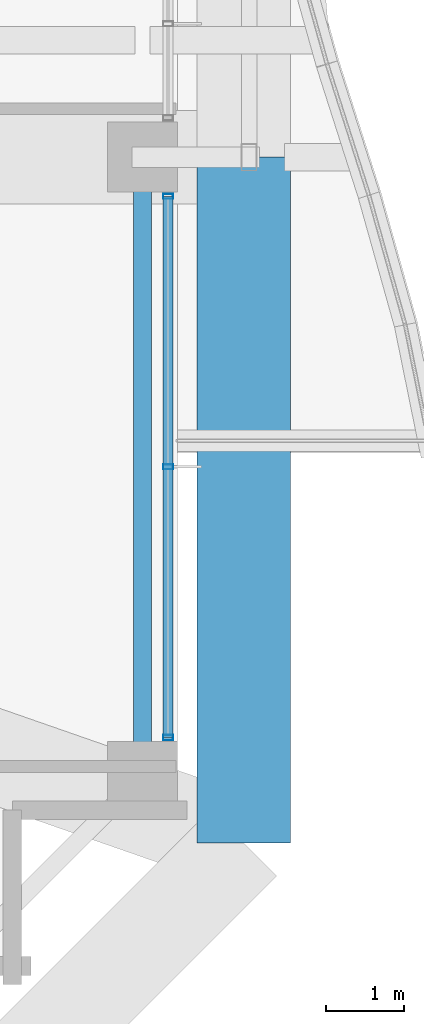
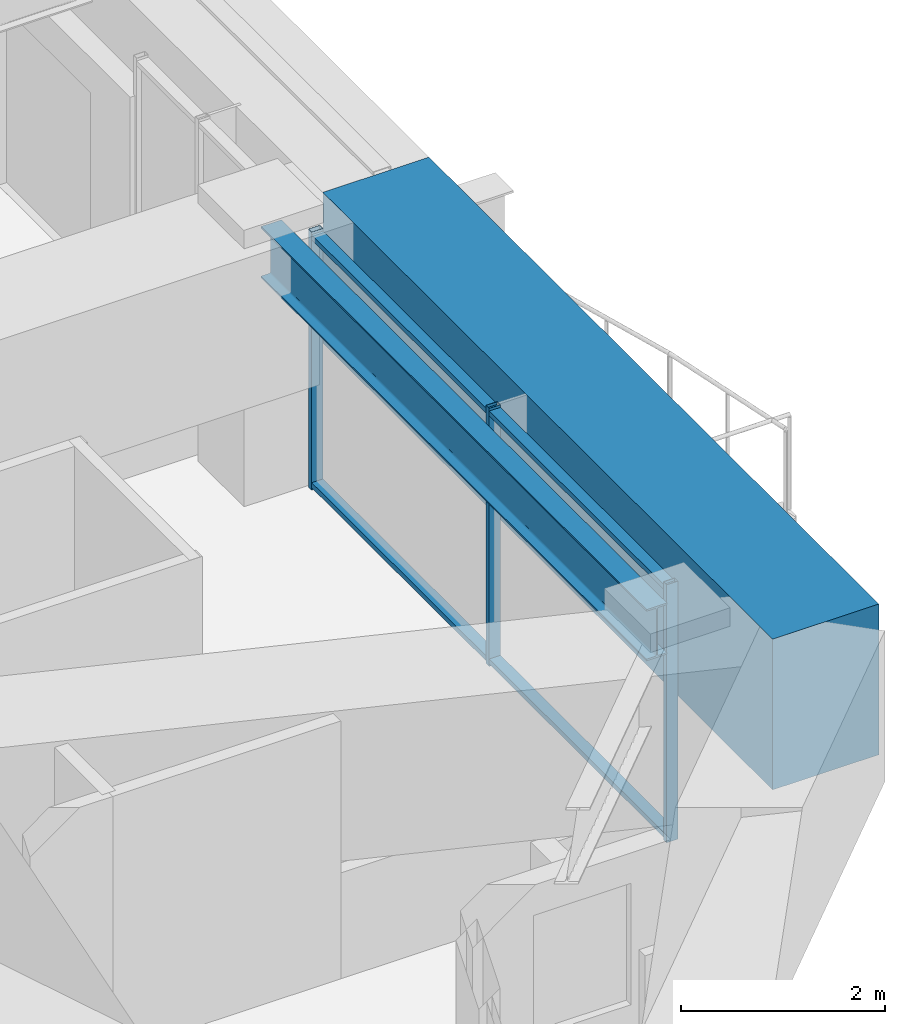
# One storey, part 17 of 40: 5 members, 2 beams, 1 element without a shape of its own.
"""IFC4 building model written with IfcOpenShell, lengths in metres."""

from ifc_helpers import new_model, si_unit, direction, frame, origin, origin_2d, place, context, subcontext, project, spatial, rectangle, hollow_rectangle, i_section, extrude, material, material_profile, profile_set, type_object, element, aggregate, save


model = new_model("IFC4")

# Units and contexts
model_context = context("Model", 3, precision=1e-05, world=origin(), true_north=direction((0.0, 1.0)))
body_context = subcontext(model_context, "Body", "Model", "MODEL_VIEW")
ifc_project = project(units=[si_unit("LENGTHUNIT", "METRE"), si_unit("AREAUNIT", "SQUARE_METRE"), si_unit("VOLUMEUNIT", "CUBIC_METRE"), si_unit("PLANEANGLEUNIT", "RADIAN"), si_unit("MASSUNIT", "GRAM", prefix="KILO")], contexts=[model_context])

# Site, building, storey
site_placement = place(None, origin())
site = spatial("IfcSite", under=ifc_project, at=site_placement, CompositionType="ELEMENT")
building_placement = place(site_placement, origin())
building = spatial("IfcBuilding", under=site, at=building_placement, Name="Kolvaren Belvedere", CompositionType="ELEMENT")
storey_placement = place(building_placement, frame((0.0, 0.0, 170.10009765625)))
storey = spatial("IfcBuildingStorey", under=building, at=storey_placement, Name="L49", CompositionType="ELEMENT", Elevation=170.10009765625)

# Beams
ifc_material_1 = material(Name="Structural steel ASTM A992 Grade 50", Category="steel")
ifc_material_profile_1 = material_profile(ifc_material_1, i_section(OverallWidth=0.22900390625, OverallDepth=0.612060546875, WebThickness=0.011962890625, FlangeThickness=0.01953125, FilletRadius=0.01806640625, at=origin_2d()), Name="W24X84")
ifc_profile_set_1 = profile_set([ifc_material_profile_1], Name="Structural steel ASTM A992 Grade 50")
beam_type_1 = type_object("IfcBeamType", Name="BM-SPAN-W24X84", PredefinedType="SPANDREL", material=ifc_profile_set_1)
beam_1_placement = place(storey_placement, frame((18.64990234375, -12.347412109375, 2.77392578125), z_axis=(0.0, 1.0, 0.0), x_axis=(-1.0, 0.0, 0.0)))
element("IfcBeam", 1, at=beam_1_placement, inside=storey, type_object=beam_type_1, Name="L49 Perimeter Spandrel E1-E2", PredefinedType="SPANDREL", context=body_context, shape_type="SweptSolid", body=[
    extrude(i_section(OverallWidth=0.22900390625, OverallDepth=0.612060546875, WebThickness=0.011962890625, FlangeThickness=0.01953125, FilletRadius=0.01806640625, at=origin_2d()), origin(), (0.0, 0.0, 1.0), 7.544921875),
])
ifc_material_2 = material(Name="Concrete C50/60", Category="concrete")
ifc_material_profile_2 = material_profile(ifc_material_2, rectangle(XDim=1.199951171875, YDim=1.800048828125, at=origin_2d()), Name="RC 1200X1800")
ifc_profile_set_2 = profile_set([ifc_material_profile_2], Name="Concrete C50/60")
beam_type_2 = type_object("IfcBeamType", Name="BM-TG-1800", PredefinedType="BEAM", material=ifc_profile_set_2)
beam_2_placement = place(storey_placement, frame((19.949951171875, -13.39990234375, 2.179931640625), z_axis=(0.0, 1.0, 0.0), x_axis=(-1.0, 0.0, 0.0)))
element("IfcBeam", 2, at=beam_2_placement, inside=storey, type_object=beam_type_2, Name="L49 Step Transfer Ring Girder E1-E2", PredefinedType="BEAM", context=body_context, shape_type="SweptSolid", body=[
    extrude(rectangle(XDim=1.199951171875, YDim=1.800048828125, at=origin_2d()), origin(), (0.0, 0.0, 1.0), 8.7998046875),
])

# Curtain wall, members
ifc_material_3 = material(Name="Anodised pale-metal aluminium AA 6063-T6", Category="aluminium")
curtain_wall_type = type_object("IfcCurtainWallType", Name="CW-Z3-WAIST", PredefinedType="NOTDEFINED", material=ifc_material_3)
curtain_wall_placement = place(storey_placement, origin())
curtain_wall = element("IfcCurtainWall", 3, at=curtain_wall_placement, inside=storey, type_object=curtain_wall_type, Name="L49 Unitised Curtain Wall FCW-L49-E2-B2", PredefinedType="NOTDEFINED")
ifc_material_4 = material(Name="Anodised pale-metal aluminium AA 6063-T6", Category="aluminium")
ifc_material_profile_3 = material_profile(ifc_material_4, hollow_rectangle(XDim=0.06494140625, YDim=0.1298828125, WallThickness=0.00390625, at=origin_2d()), Name="ALU-MUL-130X65")
ifc_profile_set_3 = profile_set([ifc_material_profile_3], Name="Anodised pale-metal aluminium AA 6063-T6")
member_type_1 = type_object("IfcMemberType", Name="CW-MUL-130", PredefinedType="MULLION", material=ifc_profile_set_3)
member_1_placement = place(storey_placement, frame((18.97998046875, -5.1025390625, 0.0), z_axis=(0.0, 0.0, 1.0), x_axis=(0.0, 1.0, 0.0)))
member_1 = element("IfcMember", 4, at=member_1_placement, type_object=member_type_1, Name="FCW-L49-E2-B2 Unitised Mullion 1", PredefinedType="MULLION", context=body_context, shape_type="SweptSolid", body=[
    extrude(hollow_rectangle(XDim=0.06494140625, YDim=0.1298828125, WallThickness=0.00390625, at=origin_2d()), origin(), (0.0, 0.0, 1.0), 3.079833984375),
])
member_2_placement = place(storey_placement, frame((18.97998046875, -8.574951171875, 0.0), z_axis=(0.0, 0.0, 1.0), x_axis=(0.0, 1.0, 0.0)))
member_2 = element("IfcMember", 5, at=member_2_placement, type_object=member_type_1, Name="FCW-L49-E2-B2 Unitised Mullion 2", PredefinedType="MULLION", context=body_context, shape_type="SweptSolid", body=[
    extrude(hollow_rectangle(XDim=0.06494140625, YDim=0.1298828125, WallThickness=0.00390625, at=origin_2d()), origin(), (0.0, 0.0, 1.0), 3.079833984375),
])
member_3_placement = place(storey_placement, frame((18.97998046875, -12.047607421875, 0.0), z_axis=(0.0, 0.0, 1.0), x_axis=(0.0, 1.0, 0.0)))
member_3 = element("IfcMember", 6, at=member_3_placement, type_object=member_type_1, Name="FCW-L49-E2-B2 Unitised Mullion 3", PredefinedType="MULLION", context=body_context, shape_type="SweptSolid", body=[
    extrude(hollow_rectangle(XDim=0.06494140625, YDim=0.1298828125, WallThickness=0.00390625, at=origin_2d()), origin(), (0.0, 0.0, 1.0), 3.079833984375),
])
ifc_material_5 = material(Name="Anodised pale-metal aluminium AA 6063-T6", Category="aluminium")
ifc_material_profile_4 = material_profile(ifc_material_5, hollow_rectangle(XDim=0.06005859375, YDim=0.1298828125, WallThickness=0.00390625, at=origin_2d()), Name="ALU-TRN-130X60")
ifc_profile_set_4 = profile_set([ifc_material_profile_4], Name="Anodised pale-metal aluminium AA 6063-T6")
member_type_2 = type_object("IfcMemberType", Name="CW-TRN-130", PredefinedType="USERDEFINED", material=ifc_profile_set_4)
member_4_placement = place(storey_placement, frame((18.97998046875, -5.1025390625, 0.059814453125), z_axis=(0.0, -1.0, 0.0), x_axis=(0.0, 0.0, 1.0)))
member_4 = element("IfcMember", 7, at=member_4_placement, type_object=member_type_2, Name="FCW-L49-E2-B2 Sill Transom", ObjectType="TRANSOM", PredefinedType="USERDEFINED", context=body_context, shape_type="SweptSolid", body=[
    extrude(hollow_rectangle(XDim=0.06005859375, YDim=0.1298828125, WallThickness=0.00390625, at=origin_2d()), origin(), (0.0, 0.0, 1.0), 6.945068359375),
])
member_5_placement = place(storey_placement, frame((18.97998046875, -5.1025390625, 3.02001953125), z_axis=(0.0, -1.0, 0.0), x_axis=(0.0, 0.0, 1.0)))
member_5 = element("IfcMember", 8, at=member_5_placement, type_object=member_type_2, Name="FCW-L49-E2-B2 Head Transom", ObjectType="TRANSOM", PredefinedType="USERDEFINED", context=body_context, shape_type="SweptSolid", body=[
    extrude(hollow_rectangle(XDim=0.06005859375, YDim=0.1298828125, WallThickness=0.00390625, at=origin_2d()), origin(), (0.0, 0.0, 1.0), 6.945068359375),
])
aggregate(curtain_wall, [member_1, member_2, member_3, member_4, member_5])

save(model, "model.ifc")
